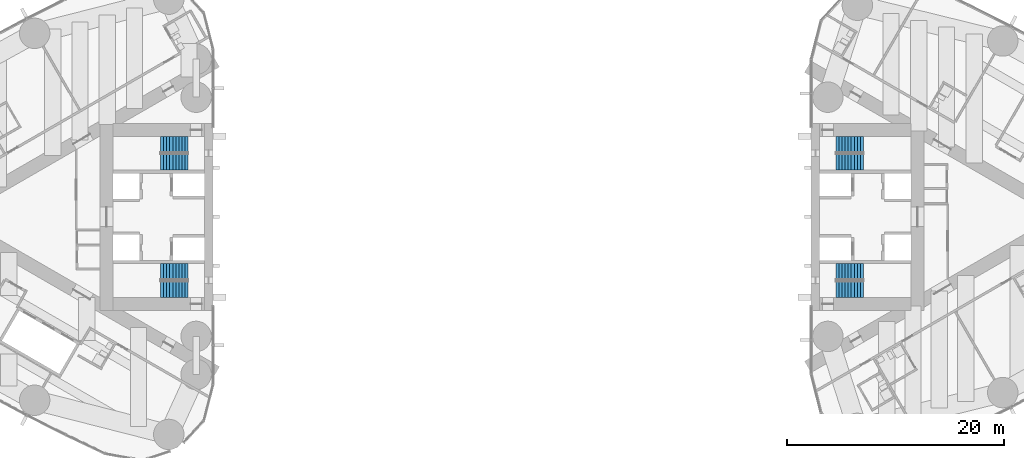
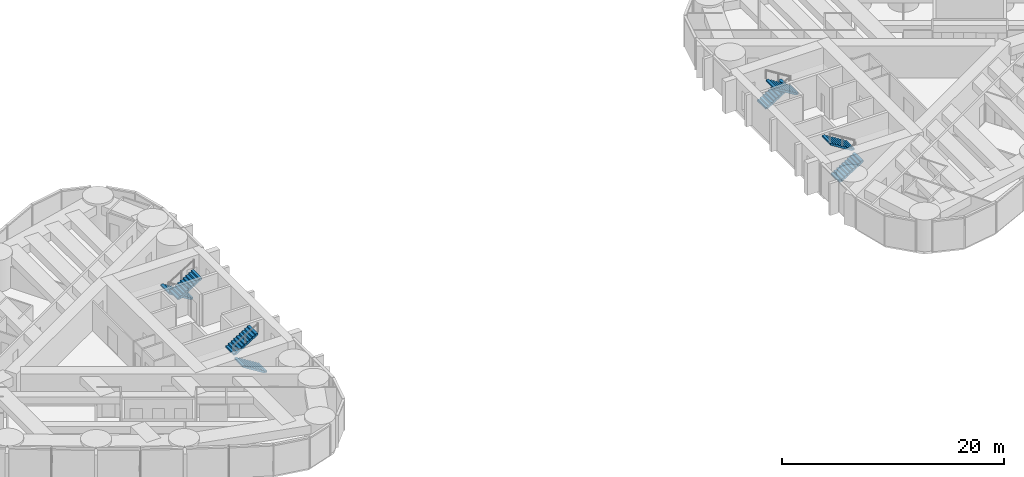
# One storey, part 17 of 19: 8 stair flights, 4 elements without a shape of their own.
"""IFC4 building model written with IfcOpenShell, lengths in metres."""

from ifc_helpers import new_model, si_unit, direction, frame, origin, place, context, subcontext, project, spatial, polyline, outline, extrude, material, type_object, element, aggregate, save


model = new_model("IFC4")

# Units and contexts
model_context = context("Model", 3, precision=1e-05, world=origin(), true_north=direction((0.0, 1.0)))
body_context = subcontext(model_context, "Body", "Model", "MODEL_VIEW")
ifc_project = project(units=[si_unit("LENGTHUNIT", "METRE"), si_unit("AREAUNIT", "SQUARE_METRE"), si_unit("VOLUMEUNIT", "CUBIC_METRE"), si_unit("PLANEANGLEUNIT", "RADIAN"), si_unit("MASSUNIT", "GRAM", prefix="KILO")], contexts=[model_context])

# Site, building, storey
site_placement = place(None, origin())
site = spatial("IfcSite", under=ifc_project, at=site_placement, CompositionType="ELEMENT")
building_placement = place(site_placement, origin())
building = spatial("IfcBuilding", under=site, at=building_placement, Name="Lancet Gate Hotel", CompositionType="ELEMENT")
storey_placement = place(building_placement, frame((0.0, 0.0, 173.800048828125)))
storey = spatial("IfcBuildingStorey", under=building, at=storey_placement, Name="L46", CompositionType="ELEMENT", Elevation=173.800048828125)

# Stair, stair flights
ifc_material_1 = material(Name="Exit stair 20 risers 1500")
stair_type = type_object("IfcStairType", Name="Exit stair 20 risers 1500", PredefinedType="HALF_TURN_STAIR", material=ifc_material_1)
stair_1_placement = place(storey_placement, origin())
stair_1 = element("IfcStair", 1, at=stair_1_placement, inside=storey, type_object=stair_type, Name="T1 stair 1 L46", PredefinedType="HALF_TURN_STAIR")
ifc_material_2 = material(Name="Stair flight 10 risers 175 rise 1500")
stair_flight_type = type_object("IfcStairFlightType", Name="Stair flight 10 risers 175 rise 1500", PredefinedType="STRAIGHT", material=ifc_material_2)
stair_flight_1_placement = place(storey_placement, frame((-29.800048828125, 6.64990234375, 0.0), z_axis=(0.0, 0.0, 1.0), x_axis=(-1.0, 0.0, 0.0)))
stair_flight_1 = element("IfcStairFlight", 2, at=stair_flight_1_placement, type_object=stair_flight_type, Name="ST1 flight 1", NumberOfRisers=10, NumberOfTreads=9, PredefinedType="STRAIGHT", RiserHeight=0.175, TreadLength=0.28, context=body_context, shape_type="SweptSolid", body=[
    extrude(outline(polyline([(0.0, 0.0), (0.0, 0.175048828125), (0.280029296875, 0.175048828125), (0.280029296875, 0.35009765625), (0.56005859375, 0.35009765625), (0.56005859375, 0.52490234375), (0.840087890625, 0.52490234375), (0.840087890625, 0.699951171875), (1.1201171875, 0.699951171875), (1.1201171875, 0.875), (1.39990234375, 0.875), (1.39990234375, 1.050048828125), (1.679931640625, 1.050048828125), (1.679931640625, 1.22509765625), (1.9599609375, 1.22509765625), (1.9599609375, 1.39990234375), (2.239990234375, 1.39990234375), (2.239990234375, 1.574951171875), (2.52001953125, 1.574951171875), (2.52001953125, 1.75), (2.52001953125, 1.398193359375), (0.28271484375, 0.0), (0.0, 0.0)])), frame((0.0, 0.75, 0.0), z_axis=(0.0, -1.0, 0.0), x_axis=(1.0, 0.0, 0.0)), (0.0, 0.0, 1.0), 1.5),
])
stair_flight_2_placement = place(storey_placement, frame((-32.320068359375, 5.050048828125, 1.75), z_axis=(0.0, 0.0, 1.0), x_axis=(1.0, 0.0, 0.0)))
stair_flight_2 = element("IfcStairFlight", 3, at=stair_flight_2_placement, type_object=stair_flight_type, Name="ST1 flight 2", NumberOfRisers=10, NumberOfTreads=9, PredefinedType="STRAIGHT", RiserHeight=0.175, TreadLength=0.28, context=body_context, shape_type="SweptSolid", body=[
    extrude(outline(polyline([(0.0, 0.0), (0.0, 0.175048828125), (0.280029296875, 0.175048828125), (0.280029296875, 0.35009765625), (0.56005859375, 0.35009765625), (0.56005859375, 0.52490234375), (0.840087890625, 0.52490234375), (0.840087890625, 0.699951171875), (1.1201171875, 0.699951171875), (1.1201171875, 0.875), (1.39990234375, 0.875), (1.39990234375, 1.050048828125), (1.679931640625, 1.050048828125), (1.679931640625, 1.22509765625), (1.9599609375, 1.22509765625), (1.9599609375, 1.39990234375), (2.239990234375, 1.39990234375), (2.239990234375, 1.574951171875), (2.52001953125, 1.574951171875), (2.52001953125, 1.75), (2.52001953125, 1.398193359375), (0.28271484375, 0.0), (0.0, 0.0)])), frame((0.0, 0.75, 0.0), z_axis=(0.0, -1.0, 0.0), x_axis=(1.0, 0.0, 0.0)), (0.0, 0.0, 1.0), 1.5),
])
aggregate(stair_1, [stair_flight_1, stair_flight_2])

stair_2_placement = place(storey_placement, origin())
stair_2 = element("IfcStair", 4, at=stair_2_placement, inside=storey, type_object=stair_type, Name="T1 stair 2 L46", PredefinedType="HALF_TURN_STAIR")
stair_flight_3_placement = place(storey_placement, frame((-29.800048828125, -6.64990234375, 0.0), z_axis=(0.0, 0.0, 1.0), x_axis=(-1.0, 0.0, 0.0)))
stair_flight_3 = element("IfcStairFlight", 5, at=stair_flight_3_placement, type_object=stair_flight_type, Name="ST2 flight 1", NumberOfRisers=10, NumberOfTreads=9, PredefinedType="STRAIGHT", RiserHeight=0.175, TreadLength=0.28, context=body_context, shape_type="SweptSolid", body=[
    extrude(outline(polyline([(0.0, 0.0), (0.0, 0.175048828125), (0.280029296875, 0.175048828125), (0.280029296875, 0.35009765625), (0.56005859375, 0.35009765625), (0.56005859375, 0.52490234375), (0.840087890625, 0.52490234375), (0.840087890625, 0.699951171875), (1.1201171875, 0.699951171875), (1.1201171875, 0.875), (1.39990234375, 0.875), (1.39990234375, 1.050048828125), (1.679931640625, 1.050048828125), (1.679931640625, 1.22509765625), (1.9599609375, 1.22509765625), (1.9599609375, 1.39990234375), (2.239990234375, 1.39990234375), (2.239990234375, 1.574951171875), (2.52001953125, 1.574951171875), (2.52001953125, 1.75), (2.52001953125, 1.398193359375), (0.28271484375, 0.0), (0.0, 0.0)])), frame((0.0, 0.75, 0.0), z_axis=(0.0, -1.0, 0.0), x_axis=(1.0, 0.0, 0.0)), (0.0, 0.0, 1.0), 1.5),
])
stair_flight_4_placement = place(storey_placement, frame((-32.320068359375, -5.050048828125, 1.75), z_axis=(0.0, 0.0, 1.0), x_axis=(1.0, 0.0, 0.0)))
stair_flight_4 = element("IfcStairFlight", 6, at=stair_flight_4_placement, type_object=stair_flight_type, Name="ST2 flight 2", NumberOfRisers=10, NumberOfTreads=9, PredefinedType="STRAIGHT", RiserHeight=0.175, TreadLength=0.28, context=body_context, shape_type="SweptSolid", body=[
    extrude(outline(polyline([(0.0, 0.0), (0.0, 0.175048828125), (0.280029296875, 0.175048828125), (0.280029296875, 0.35009765625), (0.56005859375, 0.35009765625), (0.56005859375, 0.52490234375), (0.840087890625, 0.52490234375), (0.840087890625, 0.699951171875), (1.1201171875, 0.699951171875), (1.1201171875, 0.875), (1.39990234375, 0.875), (1.39990234375, 1.050048828125), (1.679931640625, 1.050048828125), (1.679931640625, 1.22509765625), (1.9599609375, 1.22509765625), (1.9599609375, 1.39990234375), (2.239990234375, 1.39990234375), (2.239990234375, 1.574951171875), (2.52001953125, 1.574951171875), (2.52001953125, 1.75), (2.52001953125, 1.398193359375), (0.28271484375, 0.0), (0.0, 0.0)])), frame((0.0, 0.75, 0.0), z_axis=(0.0, -1.0, 0.0), x_axis=(1.0, 0.0, 0.0)), (0.0, 0.0, 1.0), 1.5),
])
aggregate(stair_2, [stair_flight_3, stair_flight_4])

stair_3_placement = place(storey_placement, origin())
stair_3 = element("IfcStair", 7, at=stair_3_placement, inside=storey, type_object=stair_type, Name="T2 stair 1 L46", PredefinedType="HALF_TURN_STAIR")
stair_flight_5_placement = place(storey_placement, frame((29.800048828125, -6.64990234375, 0.0), z_axis=(0.0, 0.0, 1.0), x_axis=(1.0, 0.0, 0.0)))
stair_flight_5 = element("IfcStairFlight", 8, at=stair_flight_5_placement, type_object=stair_flight_type, Name="ST3 flight 1", NumberOfRisers=10, NumberOfTreads=9, PredefinedType="STRAIGHT", RiserHeight=0.175, TreadLength=0.28, context=body_context, shape_type="SweptSolid", body=[
    extrude(outline(polyline([(0.0, 0.0), (0.0, 0.175048828125), (0.280029296875, 0.175048828125), (0.280029296875, 0.35009765625), (0.56005859375, 0.35009765625), (0.56005859375, 0.52490234375), (0.840087890625, 0.52490234375), (0.840087890625, 0.699951171875), (1.1201171875, 0.699951171875), (1.1201171875, 0.875), (1.39990234375, 0.875), (1.39990234375, 1.050048828125), (1.679931640625, 1.050048828125), (1.679931640625, 1.22509765625), (1.9599609375, 1.22509765625), (1.9599609375, 1.39990234375), (2.239990234375, 1.39990234375), (2.239990234375, 1.574951171875), (2.52001953125, 1.574951171875), (2.52001953125, 1.75), (2.52001953125, 1.398193359375), (0.28271484375, 0.0), (0.0, 0.0)])), frame((0.0, 0.75, 0.0), z_axis=(0.0, -1.0, 0.0), x_axis=(1.0, 0.0, 0.0)), (0.0, 0.0, 1.0), 1.5),
])
stair_flight_6_placement = place(storey_placement, frame((32.320068359375, -5.050048828125, 1.75), z_axis=(0.0, 0.0, 1.0), x_axis=(-1.0, 0.0, 0.0)))
stair_flight_6 = element("IfcStairFlight", 9, at=stair_flight_6_placement, type_object=stair_flight_type, Name="ST3 flight 2", NumberOfRisers=10, NumberOfTreads=9, PredefinedType="STRAIGHT", RiserHeight=0.175, TreadLength=0.28, context=body_context, shape_type="SweptSolid", body=[
    extrude(outline(polyline([(0.0, 0.0), (0.0, 0.175048828125), (0.280029296875, 0.175048828125), (0.280029296875, 0.35009765625), (0.56005859375, 0.35009765625), (0.56005859375, 0.52490234375), (0.840087890625, 0.52490234375), (0.840087890625, 0.699951171875), (1.1201171875, 0.699951171875), (1.1201171875, 0.875), (1.39990234375, 0.875), (1.39990234375, 1.050048828125), (1.679931640625, 1.050048828125), (1.679931640625, 1.22509765625), (1.9599609375, 1.22509765625), (1.9599609375, 1.39990234375), (2.239990234375, 1.39990234375), (2.239990234375, 1.574951171875), (2.52001953125, 1.574951171875), (2.52001953125, 1.75), (2.52001953125, 1.398193359375), (0.28271484375, 0.0), (0.0, 0.0)])), frame((0.0, 0.75, 0.0), z_axis=(0.0, -1.0, 0.0), x_axis=(1.0, 0.0, 0.0)), (0.0, 0.0, 1.0), 1.5),
])
aggregate(stair_3, [stair_flight_5, stair_flight_6])

stair_4_placement = place(storey_placement, origin())
stair_4 = element("IfcStair", 10, at=stair_4_placement, inside=storey, type_object=stair_type, Name="T2 stair 2 L46", PredefinedType="HALF_TURN_STAIR")
stair_flight_7_placement = place(storey_placement, frame((29.800048828125, 6.64990234375, 0.0), z_axis=(0.0, 0.0, 1.0), x_axis=(1.0, 0.0, 0.0)))
stair_flight_7 = element("IfcStairFlight", 11, at=stair_flight_7_placement, type_object=stair_flight_type, Name="ST4 flight 1", NumberOfRisers=10, NumberOfTreads=9, PredefinedType="STRAIGHT", RiserHeight=0.175, TreadLength=0.28, context=body_context, shape_type="SweptSolid", body=[
    extrude(outline(polyline([(0.0, 0.0), (0.0, 0.175048828125), (0.280029296875, 0.175048828125), (0.280029296875, 0.35009765625), (0.56005859375, 0.35009765625), (0.56005859375, 0.52490234375), (0.840087890625, 0.52490234375), (0.840087890625, 0.699951171875), (1.1201171875, 0.699951171875), (1.1201171875, 0.875), (1.39990234375, 0.875), (1.39990234375, 1.050048828125), (1.679931640625, 1.050048828125), (1.679931640625, 1.22509765625), (1.9599609375, 1.22509765625), (1.9599609375, 1.39990234375), (2.239990234375, 1.39990234375), (2.239990234375, 1.574951171875), (2.52001953125, 1.574951171875), (2.52001953125, 1.75), (2.52001953125, 1.398193359375), (0.28271484375, 0.0), (0.0, 0.0)])), frame((0.0, 0.75, 0.0), z_axis=(0.0, -1.0, 0.0), x_axis=(1.0, 0.0, 0.0)), (0.0, 0.0, 1.0), 1.5),
])
stair_flight_8_placement = place(storey_placement, frame((32.320068359375, 5.050048828125, 1.75), z_axis=(0.0, 0.0, 1.0), x_axis=(-1.0, 0.0, 0.0)))
stair_flight_8 = element("IfcStairFlight", 12, at=stair_flight_8_placement, type_object=stair_flight_type, Name="ST4 flight 2", NumberOfRisers=10, NumberOfTreads=9, PredefinedType="STRAIGHT", RiserHeight=0.175, TreadLength=0.28, context=body_context, shape_type="SweptSolid", body=[
    extrude(outline(polyline([(0.0, 0.0), (0.0, 0.175048828125), (0.280029296875, 0.175048828125), (0.280029296875, 0.35009765625), (0.56005859375, 0.35009765625), (0.56005859375, 0.52490234375), (0.840087890625, 0.52490234375), (0.840087890625, 0.699951171875), (1.1201171875, 0.699951171875), (1.1201171875, 0.875), (1.39990234375, 0.875), (1.39990234375, 1.050048828125), (1.679931640625, 1.050048828125), (1.679931640625, 1.22509765625), (1.9599609375, 1.22509765625), (1.9599609375, 1.39990234375), (2.239990234375, 1.39990234375), (2.239990234375, 1.574951171875), (2.52001953125, 1.574951171875), (2.52001953125, 1.75), (2.52001953125, 1.398193359375), (0.28271484375, 0.0), (0.0, 0.0)])), frame((0.0, 0.75, 0.0), z_axis=(0.0, -1.0, 0.0), x_axis=(1.0, 0.0, 0.0)), (0.0, 0.0, 1.0), 1.5),
])
aggregate(stair_4, [stair_flight_7, stair_flight_8])

save(model, "model.ifc")
